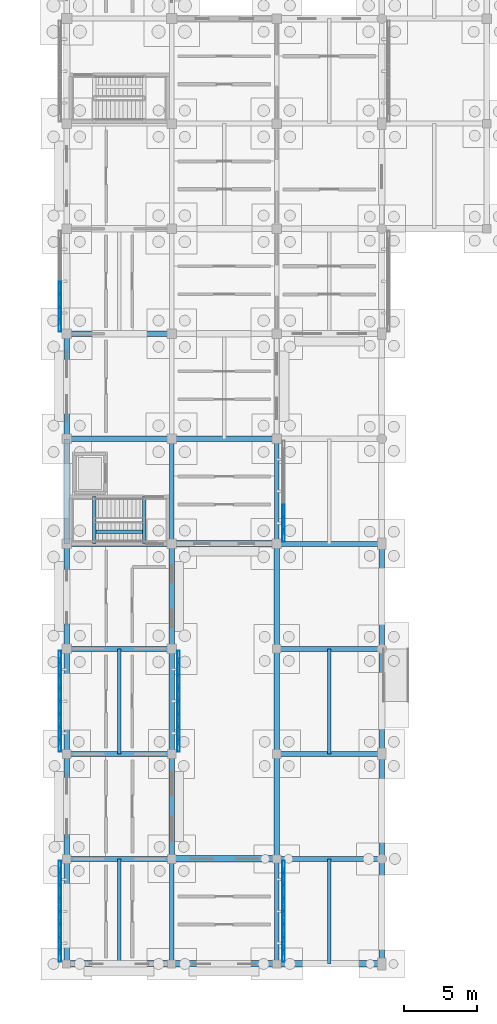
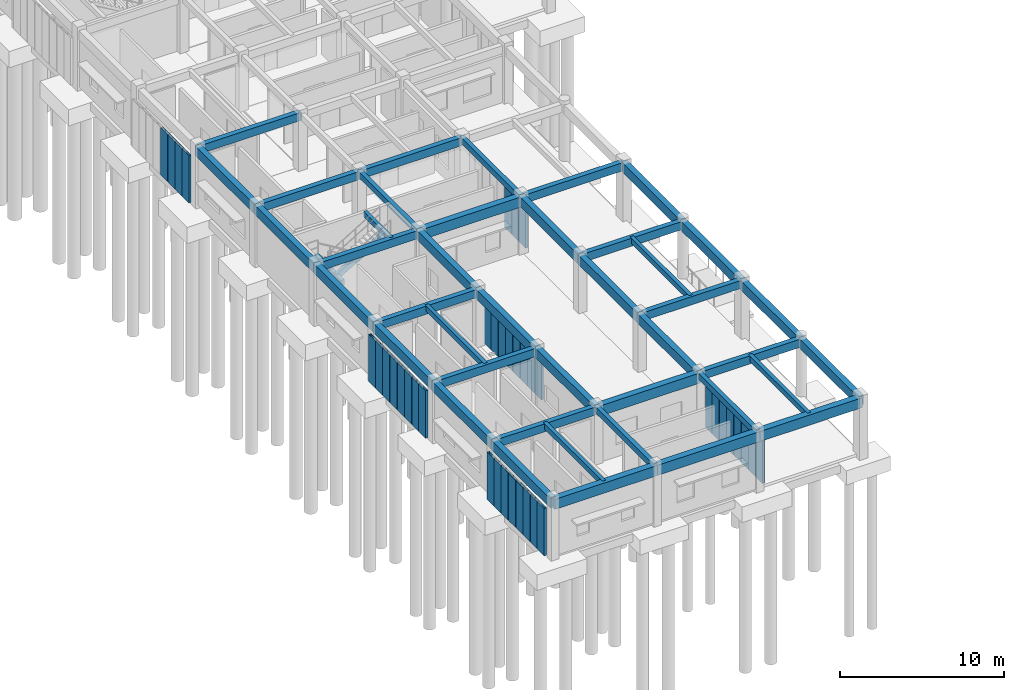
# One storey, part 13 of 111: 43 beams, 39 members, 6 elements without a shape of their own.
"""IFC4 building model written with IfcOpenShell, lengths in metres."""

import ifcopenshell
import ifcopenshell.guid

model = None  # the IFC model being written
_history = None  # IfcOwnerHistory: only IFC2X3 demands one
_inside = {}  # id of a spatial element -> (the spatial element, [elements in it])
_under = {}  # id of a project, library or spatial element -> (it, [spatial elements below it])
_declared = {}  # id of a project -> (the project, [libraries it declares])
_typed = {}  # id of a type object -> (the type object, [elements of that type])
_made_of = {}  # id of a material, layer set ... -> (it, [elements and type objects made of it])


def new_model(schema):
    """Start an empty IFC model of exactly this schema.

    Asked for "IFC4X3", IfcOpenShell would pick the latest addendum, in which some entities
    have other attributes; the version numbers below select the first issue.
    IFC2X3 requires an IfcOwnerHistory on every rooted entity: one is made here for all.
    """
    global model, _history
    if schema == "IFC4X3":
        model = ifcopenshell.file(schema_version=(4, 3, 0, 0))
    else:
        model = ifcopenshell.file(schema=schema)
    _inside.clear()
    _under.clear()
    _declared.clear()
    _typed.clear()
    _made_of.clear()
    _history = None
    if model.schema == "IFC2X3":
        org = make("IfcOrganization", Name="unknown")
        user = make(
            "IfcPersonAndOrganization",
            ThePerson=make("IfcPerson", FamilyName="unknown"),
            TheOrganization=org,
        )
        app = make(
            "IfcApplication",
            ApplicationDeveloper=org,
            Version="unknown",
            ApplicationFullName="unknown",
            ApplicationIdentifier="unknown",
        )
        _history = make(
            "IfcOwnerHistory",
            OwningUser=user,
            OwningApplication=app,
            ChangeAction="ADDED",
            CreationDate=0,
        )
    return model


def make(cls, **values):
    """One entity of the class cls with the attributes given. An attribute that is None is left unset."""
    return model.create_entity(
        cls, **{name: value for name, value in values.items() if value is not None}
    )


def rooted(cls, **values):
    """An entity with a GlobalId (a new one), such as an element, a storey or a relation."""
    return make(cls, GlobalId=ifcopenshell.guid.new(), OwnerHistory=_history, **values)


def si_unit(unit_type, name, prefix=None):
    """IfcSIUnit, for example si_unit("LENGTHUNIT", "METRE", prefix="MILLI")."""
    return make("IfcSIUnit", UnitType=unit_type, Prefix=prefix, Name=name)


def assignment(units):
    """IfcUnitAssignment: the units of a project."""
    return None if units is None else make("IfcUnitAssignment", Units=units)


def point(xyz):
    """IfcCartesianPoint."""
    return None if xyz is None else make("IfcCartesianPoint", Coordinates=xyz)


def direction(xyz):
    """IfcDirection."""
    return None if xyz is None else make("IfcDirection", DirectionRatios=xyz)


def frame(location, z_axis=None, x_axis=None):
    """IfcAxis2Placement3D, a coordinate frame: its origin and axes. An axis left out is left unset."""
    return make(
        "IfcAxis2Placement3D",
        Location=point(location),
        Axis=direction(z_axis),
        RefDirection=direction(x_axis),
    )


def frame_2d(location, x_axis=None):
    """IfcAxis2Placement2D, a coordinate frame in the plane: its origin and x axis."""
    return make(
        "IfcAxis2Placement2D", Location=point(location), RefDirection=direction(x_axis)
    )


def origin():
    """The frame at (0, 0, 0) with its axes left unset."""
    return frame((0.0, 0.0, 0.0))


def origin_2d():
    """The frame at (0, 0) in the plane with its x axis left unset."""
    return frame_2d((0.0, 0.0))


def place(relative_to, where):
    """IfcLocalPlacement: puts the frame where relative to a parent placement (None: the world)."""
    return make(
        "IfcLocalPlacement", PlacementRelTo=relative_to, RelativePlacement=where
    )


def context(
    kind, dimensions, precision=None, world=None, true_north=None, identifier=None
):
    """IfcGeometricRepresentationContext, for example the 3D "Model" context."""
    return make(
        "IfcGeometricRepresentationContext",
        ContextIdentifier=identifier,
        ContextType=kind,
        CoordinateSpaceDimension=dimensions,
        Precision=precision,
        WorldCoordinateSystem=world,
        TrueNorth=true_north,
    )


def subcontext(parent, identifier, kind, view, scale=None):
    """IfcGeometricRepresentationSubContext, for example "Body" below "Model"."""
    return make(
        "IfcGeometricRepresentationSubContext",
        ContextIdentifier=identifier,
        ContextType=kind,
        ParentContext=parent,
        TargetScale=scale,
        TargetView=view,
    )


def project(units=None, contexts=None):
    """IfcProject with its units and contexts."""
    return rooted(
        "IfcProject",
        Name="project",
        RepresentationContexts=contexts,
        UnitsInContext=assignment(units),
    )


def spatial(cls, under=None, at=None, **own):
    """A site, building, storey or space (cls), placed at a placement, below another one or the project."""
    s = rooted(cls, ObjectPlacement=at, **own)
    if under is not None:
        _under.setdefault(under.id(), (under, []))[1].append(s)
    return s


def profile(cls, at=None, kind="AREA", **sizes):
    """A parametric profile (cls). Its sizes go by their IFC names, for example OverallWidth=200.0."""
    return make(cls, ProfileType=kind, Position=at, **sizes)


def rectangle(**sizes):
    """IfcRectangleProfileDef."""
    return profile("IfcRectangleProfileDef", **sizes)


def hollow_rectangle(**sizes):
    """IfcRectangleHollowProfileDef."""
    return profile("IfcRectangleHollowProfileDef", **sizes)


def extrude(swept, where, along, depth):
    """IfcExtrudedAreaSolid: the profile swept, set in the frame where, extruded along a direction by depth."""
    return make(
        "IfcExtrudedAreaSolid",
        SweptArea=swept,
        Position=where,
        ExtrudedDirection=direction(along),
        Depth=depth,
    )


def shape(context_of_items, identifier, shape_type, items):
    """IfcShapeRepresentation: the items that make up one representation, for example the "Body"."""
    return make(
        "IfcShapeRepresentation",
        ContextOfItems=context_of_items,
        RepresentationIdentifier=identifier,
        RepresentationType=shape_type,
        Items=items,
    )


def material(Name=None, Category=None):
    """IfcMaterial."""
    return make("IfcMaterial", Name=Name, Category=Category)


def material_profile(
    of_material, cross_section, Name=None, Category=None, Priority=None
):
    """IfcMaterialProfile: a cross section and its material."""
    return make(
        "IfcMaterialProfile",
        Name=Name,
        Material=of_material,
        Profile=cross_section,
        Priority=Priority,
        Category=Category,
    )


def profile_set(profiles, Name=None, composite=None):
    """IfcMaterialProfileSet."""
    return make(
        "IfcMaterialProfileSet",
        Name=Name,
        MaterialProfiles=profiles,
        CompositeProfile=composite,
    )


def made_of(thing, what):
    """Note that an element or type object is made of a material, layer set ...; save() writes the relation."""
    if what is not None:
        _made_of.setdefault(what.id(), (what, []))[1].append(thing)
    return thing


def type_object(cls, material=None, **own):
    """A type object (cls), such as IfcWallType, which elements share."""
    return made_of(rooted(cls, **own), material)


def element(
    cls,
    number,
    at=None,
    inside=None,
    cuts=None,
    type_object=None,
    material=None,
    context=None,
    identifier="Body",
    shape_type=None,
    held_by="IfcProductDefinitionShape",
    body=None,
    shapes=None,
    **own,
):
    """One element of the class cls, such as IfcWall. Its Tag is "e" and its number.

    at: its placement. inside: the storey or other place that contains it. cuts: it is an
    opening in that element (IfcRelVoidsElement). A single representation is given by context,
    identifier, shape_type and body (its items); several are given by shapes. held_by: the class
    of the entity that holds the representations. save() writes the other relations.
    """
    e = rooted(cls, Tag="e%d" % number, ObjectPlacement=at, **own)
    if body is not None:
        shapes = [shape(context, identifier, shape_type, body)]
    if shapes is not None:
        e.Representation = make(held_by, Representations=shapes)
    if inside is not None:
        _inside.setdefault(inside.id(), (inside, []))[1].append(e)
    if cuts is not None:
        rooted(
            "IfcRelVoidsElement", RelatingBuildingElement=cuts, RelatedOpeningElement=e
        )
    if type_object is not None:
        _typed.setdefault(type_object.id(), (type_object, []))[1].append(e)
    return made_of(e, material)


def aggregate(whole, parts):
    """IfcRelAggregates: a whole, such as a stair, and the parts it consists of."""
    return rooted("IfcRelAggregates", RelatingObject=whole, RelatedObjects=parts)


def save(model, path):
    """Write the relations noted so far, then the file.

    IfcRelAggregates (storeys below a building ...), IfcRelContainedInSpatialStructure (elements
    in a storey), IfcRelDefinesByType, IfcRelAssociatesMaterial and IfcRelDeclares: one each for
    every whole, place, type object, material and project.
    """
    for whole, parts in _under.values():
        aggregate(whole, parts)
    for where, things in _inside.values():
        rooted(
            "IfcRelContainedInSpatialStructure",
            RelatedElements=things,
            RelatingStructure=where,
        )
    for kind, things in _typed.values():
        rooted("IfcRelDefinesByType", RelatedObjects=things, RelatingType=kind)
    for what, things in _made_of.values():
        rooted("IfcRelAssociatesMaterial", RelatedObjects=things, RelatingMaterial=what)
    for by, libraries in _declared.values():
        rooted("IfcRelDeclares", RelatingContext=by, RelatedDefinitions=libraries)
    model.write(path)


model = new_model("IFC4")

# Units and contexts
model_context = context("Model", 3, precision=1e-05, world=origin(), true_north=direction((0.0, 1.0)))
body_context = subcontext(model_context, "Body", "Model", "MODEL_VIEW")
ifc_project = project(units=[si_unit("LENGTHUNIT", "METRE"), si_unit("AREAUNIT", "SQUARE_METRE"), si_unit("VOLUMEUNIT", "CUBIC_METRE"), si_unit("PLANEANGLEUNIT", "RADIAN"), si_unit("MASSUNIT", "GRAM", prefix="KILO")], contexts=[model_context])

# Site, building, storey
site_placement = place(None, origin())
site = spatial("IfcSite", under=ifc_project, at=site_placement, CompositionType="ELEMENT")
building_placement = place(site_placement, origin())
building = spatial("IfcBuilding", under=site, at=building_placement, Name="Aldebral Square Health Centre", CompositionType="ELEMENT")
storey_placement = place(building_placement, origin())
storey = spatial("IfcBuildingStorey", under=building, at=storey_placement, Name="L00", CompositionType="ELEMENT", Elevation=0.0)

# Beams
ifc_material_1 = material(Name="Concrete C40/50", Category="concrete")
ifc_material_profile_1 = material_profile(ifc_material_1, rectangle(XDim=0.35009765625, YDim=0.60009765625, at=origin_2d()), Name="RC 350x600")
ifc_profile_set_1 = profile_set([ifc_material_profile_1], Name="Concrete C40/50")
beam_type_1 = type_object("IfcBeamType", Name="BM-B2", PredefinedType="BEAM", material=ifc_profile_set_1)
for number, where, z_axis, x_axis, name in (
    (1, (0.0, 7.199951171875, 3.919921875), (1.0, 0.0, 0.0), (0.0, 1.0, 0.0), "L00 X-beam 1-2/G2"),
    (2, (0.0, 14.39990234375, 3.919921875), (1.0, 0.0, 0.0), (0.0, 1.0, 0.0), "L00 X-beam 1-2/G3"),
    (3, (0.0, 21.60009765625, 3.919921875), (1.0, 0.0, 0.0), (0.0, 1.0, 0.0), "L00 X-beam 1-2/G4"),
    (4, (0.0, 28.800048828125, 3.919921875), (1.0, 0.0, 0.0), (0.0, 1.0, 0.0), "L00 X-beam 1-2/G5"),
    (5, (0.0, 36.0, 3.919921875), (1.0, 0.0, 0.0), (0.0, 1.0, 0.0), "L00 X-beam 1-2/G6"),
    (6, (0.0, 43.199951171875, 3.919921875), (1.0, 0.0, 0.0), (0.0, 1.0, 0.0), "L00 X-beam 1-2/G7"),
    (7, (7.199951171875, 36.0, 3.919921875), (1.0, 0.0, 0.0), (0.0, 1.0, 0.0), "L00 X-beam 2-3/G6"),
):
    element("IfcBeam", number, at=place(storey_placement, frame(where, z_axis=z_axis, x_axis=x_axis)), inside=storey, type_object=beam_type_1, Name=name, PredefinedType="BEAM", context=body_context, shape_type="SweptSolid", body=[
        extrude(rectangle(XDim=0.35009765625, YDim=0.60009765625, at=origin_2d()), origin(), (0.0, 0.0, 1.0), 7.199951171875),
    ])
for number, where, z_axis, x_axis, name in (
    (8, (14.39990234375, 7.199951171875, 3.919921875), (1.0, 0.0, 0.0), (0.0, 1.0, 0.0), "L00 X-beam 3-4/G2"),
    (9, (14.39990234375, 14.39990234375, 3.919921875), (1.0, 0.0, 0.0), (0.0, 1.0, 0.0), "L00 X-beam 3-4/G3"),
    (10, (14.39990234375, 21.60009765625, 3.919921875), (1.0, 0.0, 0.0), (0.0, 1.0, 0.0), "L00 X-beam 3-4/G4"),
    (11, (14.39990234375, 28.800048828125, 3.919921875), (1.0, 0.0, 0.0), (0.0, 1.0, 0.0), "L00 X-beam 3-4/G5"),
):
    element("IfcBeam", number, at=place(storey_placement, frame(where, z_axis=z_axis, x_axis=x_axis)), inside=storey, type_object=beam_type_1, Name=name, PredefinedType="BEAM", context=body_context, shape_type="SweptSolid", body=[
        extrude(rectangle(XDim=0.35009765625, YDim=0.60009765625, at=origin_2d()), origin(), (0.0, 0.0, 1.0), 7.2001953125),
    ])
ifc_material_profile_2 = material_profile(ifc_material_1, rectangle(XDim=0.300048828125, YDim=0.449951171875, at=origin_2d()), Name="RC 300x450")
ifc_profile_set_2 = profile_set([ifc_material_profile_2], Name="Concrete C40/50")
beam_type_2 = type_object("IfcBeamType", Name="BM-B5", PredefinedType="BEAM", material=ifc_profile_set_2)
for number, where, z_axis, x_axis, name in (
    (12, (7.199951171875, 0.0, 3.9951171875), (0.0, 1.0, 0.0), (-1.0, 0.0, 0.0), "L00 Y-beam G2/1-2"),
    (13, (7.199951171875, 28.800048828125, 3.9951171875), (0.0, 1.0, 0.0), (-1.0, 0.0, 0.0), "L00 Y-beam G2/5-6"),
    (14, (14.39990234375, 0.0, 3.9951171875), (0.0, 1.0, 0.0), (-1.0, 0.0, 0.0), "L00 Y-beam G3/1-2"),
    (15, (14.39990234375, 28.800048828125, 3.9951171875), (0.0, 1.0, 0.0), (-1.0, 0.0, 0.0), "L00 Y-beam G3/5-6"),
):
    element("IfcBeam", number, at=place(storey_placement, frame(where, z_axis=z_axis, x_axis=x_axis)), inside=storey, type_object=beam_type_2, Name=name, PredefinedType="BEAM", context=body_context, shape_type="SweptSolid", body=[
        extrude(rectangle(XDim=0.300048828125, YDim=0.449951171875, at=origin_2d()), origin(), (0.0, 0.0, 1.0), 7.199951171875),
    ])
ifc_material_profile_3 = material_profile(ifc_material_1, rectangle(XDim=0.25, YDim=0.39990234375, at=origin_2d()), Name="RC 250x400")
ifc_profile_set_3 = profile_set([ifc_material_profile_3], Name="Concrete C40/50")
beam_type_3 = type_object("IfcBeamType", Name="BM-B6", PredefinedType="JOIST", material=ifc_profile_set_3)
beam_1_placement = place(storey_placement, frame((3.60009765625, 0.0, 4.02001953125), z_axis=(0.0, 1.0, 0.0), x_axis=(-1.0, 0.0, 0.0)))
element("IfcBeam", 16, at=beam_1_placement, inside=storey, type_object=beam_type_3, Name="L00 secondary rib 1.1", PredefinedType="JOIST", context=body_context, shape_type="SweptSolid", body=[
    extrude(rectangle(XDim=0.25, YDim=0.39990234375, at=origin_2d()), origin(), (0.0, 0.0, 1.0), 7.199951171875),
])
beam_2_placement = place(storey_placement, frame((3.60009765625, 14.39990234375, 4.02001953125), z_axis=(0.0, 1.0, 0.0), x_axis=(-1.0, 0.0, 0.0)))
element("IfcBeam", 17, at=beam_2_placement, inside=storey, type_object=beam_type_3, Name="L00 secondary rib 1.3", PredefinedType="JOIST", context=body_context, shape_type="SweptSolid", body=[
    extrude(rectangle(XDim=0.25, YDim=0.39990234375, at=origin_2d()), origin(), (0.0, 0.0, 1.0), 7.2001953125),
])
beam_3_placement = place(storey_placement, frame((18.0, 0.0, 4.02001953125), z_axis=(0.0, 1.0, 0.0), x_axis=(-1.0, 0.0, 0.0)))
element("IfcBeam", 18, at=beam_3_placement, inside=storey, type_object=beam_type_3, Name="L00 secondary rib 3.1", PredefinedType="JOIST", context=body_context, shape_type="SweptSolid", body=[
    extrude(rectangle(XDim=0.25, YDim=0.39990234375, at=origin_2d()), origin(), (0.0, 0.0, 1.0), 7.199951171875),
])
beam_4_placement = place(storey_placement, frame((18.0, 14.39990234375, 4.02001953125), z_axis=(0.0, 1.0, 0.0), x_axis=(-1.0, 0.0, 0.0)))
element("IfcBeam", 19, at=beam_4_placement, inside=storey, type_object=beam_type_3, Name="L00 secondary rib 3.3", PredefinedType="JOIST", context=body_context, shape_type="SweptSolid", body=[
    extrude(rectangle(XDim=0.25, YDim=0.39990234375, at=origin_2d()), origin(), (0.0, 0.0, 1.0), 7.2001953125),
])
for number, where, z_axis, x_axis, name in (
    (20, (1.8798828125, 28.81005859375, 2.050048828125), (0.0, 1.0, 0.0), (-1.0, 0.0, 0.0), "L00 WC-C5 half-landing beam"),
    (21, (5.320068359375, 28.81005859375, 4.02001953125), (0.0, 1.0, 0.0), (-1.0, 0.0, 0.0), "L00 WC-C5 upper landing beam"),
):
    element("IfcBeam", number, at=place(storey_placement, frame(where, z_axis=z_axis, x_axis=x_axis)), inside=storey, type_object=beam_type_3, Name=name, PredefinedType="JOIST", context=body_context, shape_type="SweptSolid", body=[
        extrude(rectangle(XDim=0.25, YDim=0.39990234375, at=origin_2d()), origin(), (0.0, 0.0, 1.0), 3.219970703125),
    ])
beam_5_placement = place(storey_placement, frame((1.8798828125, 29.6201171875, 2.050048828125), z_axis=(0.867791792995, 0.0, 0.496927966622), x_axis=(0.0, 1.0, 0.0)))
element("IfcBeam", 22, at=beam_5_placement, inside=storey, type_object=beam_type_3, Name="L00 WC-C5 flight stringer beam", PredefinedType="JOIST", context=body_context, shape_type="SweptSolid", body=[
    extrude(rectangle(XDim=0.25, YDim=0.39990234375, at=origin_2d()), origin(), (0.0, 0.0, 1.0), 3.96435546875),
])
ifc_material_profile_4 = material_profile(ifc_material_1, rectangle(XDim=0.449951171875, YDim=0.75, at=origin_2d()), Name="RC 450x750")
ifc_profile_set_4 = profile_set([ifc_material_profile_4], Name="Concrete C40/50")
beam_type_4 = type_object("IfcBeamType", Name="BM-G2", PredefinedType="T_BEAM", material=ifc_profile_set_4)
for number, where, z_axis, x_axis, name in (
    (23, (0.0, 0.0, 3.844970703125), (1.0, 0.0, 0.0), (0.0, 1.0, 0.0), "L00 X-beam 1-2/G1"),
    (24, (7.199951171875, 0.0, 3.844970703125), (1.0, 0.0, 0.0), (0.0, 1.0, 0.0), "L00 X-beam 2-3/G1"),
    (25, (7.199951171875, 7.199951171875, 3.844970703125), (1.0, 0.0, 0.0), (0.0, 1.0, 0.0), "L00 X-beam 2-3/G2"),
    (26, (7.199951171875, 28.800048828125, 3.844970703125), (1.0, 0.0, 0.0), (0.0, 1.0, 0.0), "L00 X-beam 2-3/G5"),
):
    element("IfcBeam", number, at=place(storey_placement, frame(where, z_axis=z_axis, x_axis=x_axis)), inside=storey, type_object=beam_type_4, Name=name, PredefinedType="T_BEAM", context=body_context, shape_type="SweptSolid", body=[
        extrude(rectangle(XDim=0.449951171875, YDim=0.75, at=origin_2d()), origin(), (0.0, 0.0, 1.0), 7.199951171875),
    ])
beam_6_placement = place(storey_placement, frame((14.39990234375, 0.0, 3.844970703125), z_axis=(1.0, 0.0, 0.0), x_axis=(0.0, 1.0, 0.0)))
element("IfcBeam", 27, at=beam_6_placement, inside=storey, type_object=beam_type_4, Name="L00 X-beam 3-4/G1", PredefinedType="T_BEAM", context=body_context, shape_type="SweptSolid", body=[
    extrude(rectangle(XDim=0.449951171875, YDim=0.75, at=origin_2d()), origin(), (0.0, 0.0, 1.0), 7.2001953125),
])
ifc_material_profile_5 = material_profile(ifc_material_1, rectangle(XDim=0.39990234375, YDim=0.699951171875, at=origin_2d()), Name="RC 400x700")
ifc_profile_set_5 = profile_set([ifc_material_profile_5], Name="Concrete C40/50")
beam_type_5 = type_object("IfcBeamType", Name="BM-G3", PredefinedType="T_BEAM", material=ifc_profile_set_5)
for number, where, z_axis, x_axis, name in (
    (28, (0.0, 0.0, 3.8701171875), (0.0, 1.0, 0.0), (-1.0, 0.0, 0.0), "L00 Y-beam G1/1-2"),
    (29, (0.0, 7.199951171875, 3.8701171875), (0.0, 1.0, 0.0), (-1.0, 0.0, 0.0), "L00 Y-beam G1/2-3"),
):
    element("IfcBeam", number, at=place(storey_placement, frame(where, z_axis=z_axis, x_axis=x_axis)), inside=storey, type_object=beam_type_5, Name=name, PredefinedType="T_BEAM", context=body_context, shape_type="SweptSolid", body=[
        extrude(rectangle(XDim=0.39990234375, YDim=0.699951171875, at=origin_2d()), origin(), (0.0, 0.0, 1.0), 7.199951171875),
    ])
beam_7_placement = place(storey_placement, frame((0.0, 14.39990234375, 3.8701171875), z_axis=(0.0, 1.0, 0.0), x_axis=(-1.0, 0.0, 0.0)))
element("IfcBeam", 30, at=beam_7_placement, inside=storey, type_object=beam_type_5, Name="L00 Y-beam G1/3-4", PredefinedType="T_BEAM", context=body_context, shape_type="SweptSolid", body=[
    extrude(rectangle(XDim=0.39990234375, YDim=0.699951171875, at=origin_2d()), origin(), (0.0, 0.0, 1.0), 7.2001953125),
])
for number, where, z_axis, x_axis, name in (
    (31, (0.0, 21.60009765625, 3.8701171875), (0.0, 1.0, 0.0), (-1.0, 0.0, 0.0), "L00 Y-beam G1/4-5"),
    (32, (0.0, 28.800048828125, 3.8701171875), (0.0, 1.0, 0.0), (-1.0, 0.0, 0.0), "L00 Y-beam G1/5-6"),
    (33, (0.0, 36.0, 3.8701171875), (0.0, 1.0, 0.0), (-1.0, 0.0, 0.0), "L00 Y-beam G1/6-7"),
    (34, (7.199951171875, 7.199951171875, 3.8701171875), (0.0, 1.0, 0.0), (-1.0, 0.0, 0.0), "L00 Y-beam G2/2-3"),
):
    element("IfcBeam", number, at=place(storey_placement, frame(where, z_axis=z_axis, x_axis=x_axis)), inside=storey, type_object=beam_type_5, Name=name, PredefinedType="T_BEAM", context=body_context, shape_type="SweptSolid", body=[
        extrude(rectangle(XDim=0.39990234375, YDim=0.699951171875, at=origin_2d()), origin(), (0.0, 0.0, 1.0), 7.199951171875),
    ])
beam_8_placement = place(storey_placement, frame((7.199951171875, 14.39990234375, 3.8701171875), z_axis=(0.0, 1.0, 0.0), x_axis=(-1.0, 0.0, 0.0)))
element("IfcBeam", 35, at=beam_8_placement, inside=storey, type_object=beam_type_5, Name="L00 Y-beam G2/3-4", PredefinedType="T_BEAM", context=body_context, shape_type="SweptSolid", body=[
    extrude(rectangle(XDim=0.39990234375, YDim=0.699951171875, at=origin_2d()), origin(), (0.0, 0.0, 1.0), 7.2001953125),
])
for number, where, z_axis, x_axis, name in (
    (36, (7.199951171875, 21.60009765625, 3.8701171875), (0.0, 1.0, 0.0), (-1.0, 0.0, 0.0), "L00 Y-beam G2/4-5"),
    (37, (14.39990234375, 7.199951171875, 3.8701171875), (0.0, 1.0, 0.0), (-1.0, 0.0, 0.0), "L00 Y-beam G3/2-3"),
):
    element("IfcBeam", number, at=place(storey_placement, frame(where, z_axis=z_axis, x_axis=x_axis)), inside=storey, type_object=beam_type_5, Name=name, PredefinedType="T_BEAM", context=body_context, shape_type="SweptSolid", body=[
        extrude(rectangle(XDim=0.39990234375, YDim=0.699951171875, at=origin_2d()), origin(), (0.0, 0.0, 1.0), 7.199951171875),
    ])
beam_9_placement = place(storey_placement, frame((14.39990234375, 14.39990234375, 3.8701171875), z_axis=(0.0, 1.0, 0.0), x_axis=(-1.0, 0.0, 0.0)))
element("IfcBeam", 38, at=beam_9_placement, inside=storey, type_object=beam_type_5, Name="L00 Y-beam G3/3-4", PredefinedType="T_BEAM", context=body_context, shape_type="SweptSolid", body=[
    extrude(rectangle(XDim=0.39990234375, YDim=0.699951171875, at=origin_2d()), origin(), (0.0, 0.0, 1.0), 7.2001953125),
])
for number, where, z_axis, x_axis, name in (
    (39, (14.39990234375, 21.60009765625, 3.8701171875), (0.0, 1.0, 0.0), (-1.0, 0.0, 0.0), "L00 Y-beam G3/4-5"),
    (40, (21.60009765625, 0.0, 3.8701171875), (0.0, 1.0, 0.0), (-1.0, 0.0, 0.0), "L00 Y-beam G4/1-2"),
    (41, (21.60009765625, 7.199951171875, 3.8701171875), (0.0, 1.0, 0.0), (-1.0, 0.0, 0.0), "L00 Y-beam G4/2-3"),
):
    element("IfcBeam", number, at=place(storey_placement, frame(where, z_axis=z_axis, x_axis=x_axis)), inside=storey, type_object=beam_type_5, Name=name, PredefinedType="T_BEAM", context=body_context, shape_type="SweptSolid", body=[
        extrude(rectangle(XDim=0.39990234375, YDim=0.699951171875, at=origin_2d()), origin(), (0.0, 0.0, 1.0), 7.199951171875),
    ])
beam_10_placement = place(storey_placement, frame((21.60009765625, 14.39990234375, 3.8701171875), z_axis=(0.0, 1.0, 0.0), x_axis=(-1.0, 0.0, 0.0)))
element("IfcBeam", 42, at=beam_10_placement, inside=storey, type_object=beam_type_5, Name="L00 Y-beam G4/3-4", PredefinedType="T_BEAM", context=body_context, shape_type="SweptSolid", body=[
    extrude(rectangle(XDim=0.39990234375, YDim=0.699951171875, at=origin_2d()), origin(), (0.0, 0.0, 1.0), 7.2001953125),
])
beam_11_placement = place(storey_placement, frame((21.60009765625, 21.60009765625, 3.8701171875), z_axis=(0.0, 1.0, 0.0), x_axis=(-1.0, 0.0, 0.0)))
element("IfcBeam", 43, at=beam_11_placement, inside=storey, type_object=beam_type_5, Name="L00 Y-beam G4/4-5", PredefinedType="T_BEAM", context=body_context, shape_type="SweptSolid", body=[
    extrude(rectangle(XDim=0.39990234375, YDim=0.699951171875, at=origin_2d()), origin(), (0.0, 0.0, 1.0), 7.199951171875),
])

# Curtain wall, members
ifc_material_2 = material(Name="Aluminium and low-E solar glass", Category="aluminium")
curtain_wall_type = type_object("IfcCurtainWallType", Name="CW-FIN-SYS", PredefinedType="USERDEFINED", material=ifc_material_2)
curtain_wall_1_placement = place(storey_placement, origin())
curtain_wall_1 = element("IfcCurtainWall", 44, at=curtain_wall_1_placement, inside=storey, type_object=curtain_wall_type, Name="L00 V6 finned curtain wall L00-V6-00-00-W", ObjectType="SOLAR_CURTAIN_WALL", PredefinedType="USERDEFINED")
ifc_material_3 = material(Name="Sienna-terracotta clad aluminium fin", Category="masonry")
ifc_material_profile_6 = material_profile(ifc_material_3, hollow_rectangle(XDim=0.159912109375, YDim=0.85009765625, WallThickness=0.006103515625, at=origin_2d()), Name="FIN 160x850x6")
ifc_profile_set_6 = profile_set([ifc_material_profile_6], Name="Sienna-terracotta clad aluminium fin")
member_type = type_object("IfcMemberType", Name="CWM-FIN", PredefinedType="MULLION", material=ifc_profile_set_6)
member_1_placement = place(storey_placement, frame((-0.4599609375, 6.639892578125, 0.0), z_axis=(0.0, 0.0, 1.0), x_axis=(1.0, 0.0, 0.0)))
member_1 = element("IfcMember", 45, at=member_1_placement, type_object=member_type, Name="CW1 mullion 1", PredefinedType="MULLION", context=body_context, shape_type="SweptSolid", body=[
    extrude(hollow_rectangle(XDim=0.159912109375, YDim=0.85009765625, WallThickness=0.006103515625, at=origin_2d()), origin(), (0.0, 0.0, 1.0), 3.52001953125),
])
member_2_placement = place(storey_placement, frame((-0.4599609375, 5.82861328125, 0.0), z_axis=(0.0, 0.0, 1.0), x_axis=(1.0, 0.0, 0.0)))
member_2 = element("IfcMember", 46, at=member_2_placement, type_object=member_type, Name="CW1 mullion 2", PredefinedType="MULLION", context=body_context, shape_type="SweptSolid", body=[
    extrude(hollow_rectangle(XDim=0.159912109375, YDim=0.85009765625, WallThickness=0.006103515625, at=origin_2d()), origin(), (0.0, 0.0, 1.0), 3.52001953125),
])
member_3_placement = place(storey_placement, frame((-0.4599609375, 4.937255859375, 0.0), z_axis=(0.0, 0.0, 1.0), x_axis=(1.0, 0.0, 0.0)))
member_3 = element("IfcMember", 47, at=member_3_placement, type_object=member_type, Name="CW1 mullion 3", PredefinedType="MULLION", context=body_context, shape_type="SweptSolid", body=[
    extrude(hollow_rectangle(XDim=0.159912109375, YDim=0.85009765625, WallThickness=0.006103515625, at=origin_2d()), origin(), (0.0, 0.0, 1.0), 3.52001953125),
])
member_4_placement = place(storey_placement, frame((-0.4599609375, 4.045654296875, 0.0), z_axis=(0.0, 0.0, 1.0), x_axis=(1.0, 0.0, 0.0)))
member_4 = element("IfcMember", 48, at=member_4_placement, type_object=member_type, Name="CW1 mullion 4", PredefinedType="MULLION", context=body_context, shape_type="SweptSolid", body=[
    extrude(hollow_rectangle(XDim=0.159912109375, YDim=0.85009765625, WallThickness=0.006103515625, at=origin_2d()), origin(), (0.0, 0.0, 1.0), 3.52001953125),
])
member_5_placement = place(storey_placement, frame((-0.4599609375, 3.154296875, 0.0), z_axis=(0.0, 0.0, 1.0), x_axis=(1.0, 0.0, 0.0)))
member_5 = element("IfcMember", 49, at=member_5_placement, type_object=member_type, Name="CW1 mullion 5", PredefinedType="MULLION", context=body_context, shape_type="SweptSolid", body=[
    extrude(hollow_rectangle(XDim=0.159912109375, YDim=0.85009765625, WallThickness=0.006103515625, at=origin_2d()), origin(), (0.0, 0.0, 1.0), 3.52001953125),
])
member_6_placement = place(storey_placement, frame((-0.4599609375, 2.262939453125, 0.0), z_axis=(0.0, 0.0, 1.0), x_axis=(1.0, 0.0, 0.0)))
member_6 = element("IfcMember", 50, at=member_6_placement, type_object=member_type, Name="CW1 mullion 6", PredefinedType="MULLION", context=body_context, shape_type="SweptSolid", body=[
    extrude(hollow_rectangle(XDim=0.159912109375, YDim=0.85009765625, WallThickness=0.006103515625, at=origin_2d()), origin(), (0.0, 0.0, 1.0), 3.52001953125),
])
member_7_placement = place(storey_placement, frame((-0.4599609375, 1.371337890625, 0.0), z_axis=(0.0, 0.0, 1.0), x_axis=(1.0, 0.0, 0.0)))
member_7 = element("IfcMember", 51, at=member_7_placement, type_object=member_type, Name="CW1 mullion 7", PredefinedType="MULLION", context=body_context, shape_type="SweptSolid", body=[
    extrude(hollow_rectangle(XDim=0.159912109375, YDim=0.85009765625, WallThickness=0.006103515625, at=origin_2d()), origin(), (0.0, 0.0, 1.0), 3.52001953125),
])
member_8_placement = place(storey_placement, frame((-0.4599609375, 0.56005859375, 0.0), z_axis=(0.0, 0.0, 1.0), x_axis=(1.0, 0.0, 0.0)))
member_8 = element("IfcMember", 52, at=member_8_placement, type_object=member_type, Name="CW1 mullion 8", PredefinedType="MULLION", context=body_context, shape_type="SweptSolid", body=[
    extrude(hollow_rectangle(XDim=0.159912109375, YDim=0.85009765625, WallThickness=0.006103515625, at=origin_2d()), origin(), (0.0, 0.0, 1.0), 3.52001953125),
])
aggregate(curtain_wall_1, [member_1, member_2, member_3, member_4, member_5, member_6, member_7, member_8])

curtain_wall_2_placement = place(storey_placement, origin())
curtain_wall_2 = element("IfcCurtainWall", 53, at=curtain_wall_2_placement, inside=storey, type_object=curtain_wall_type, Name="L00 V6 finned curtain wall L00-V6-00-02-W", ObjectType="SOLAR_CURTAIN_WALL", PredefinedType="USERDEFINED")
member_9_placement = place(storey_placement, frame((-0.4599609375, 21.0400390625, 0.0), z_axis=(0.0, 0.0, 1.0), x_axis=(1.0, 0.0, 0.0)))
member_9 = element("IfcMember", 54, at=member_9_placement, type_object=member_type, Name="CW1 mullion 1", PredefinedType="MULLION", context=body_context, shape_type="SweptSolid", body=[
    extrude(hollow_rectangle(XDim=0.159912109375, YDim=0.85009765625, WallThickness=0.006103515625, at=origin_2d()), origin(), (0.0, 0.0, 1.0), 3.52001953125),
])
member_10_placement = place(storey_placement, frame((-0.4599609375, 20.228515625, 0.0), z_axis=(0.0, 0.0, 1.0), x_axis=(1.0, 0.0, 0.0)))
member_10 = element("IfcMember", 55, at=member_10_placement, type_object=member_type, Name="CW1 mullion 2", PredefinedType="MULLION", context=body_context, shape_type="SweptSolid", body=[
    extrude(hollow_rectangle(XDim=0.159912109375, YDim=0.85009765625, WallThickness=0.006103515625, at=origin_2d()), origin(), (0.0, 0.0, 1.0), 3.52001953125),
])
member_11_placement = place(storey_placement, frame((-0.4599609375, 19.337158203125, 0.0), z_axis=(0.0, 0.0, 1.0), x_axis=(1.0, 0.0, 0.0)))
member_11 = element("IfcMember", 56, at=member_11_placement, type_object=member_type, Name="CW1 mullion 3", PredefinedType="MULLION", context=body_context, shape_type="SweptSolid", body=[
    extrude(hollow_rectangle(XDim=0.159912109375, YDim=0.85009765625, WallThickness=0.006103515625, at=origin_2d()), origin(), (0.0, 0.0, 1.0), 3.52001953125),
])
member_12_placement = place(storey_placement, frame((-0.4599609375, 18.44580078125, 0.0), z_axis=(0.0, 0.0, 1.0), x_axis=(1.0, 0.0, 0.0)))
member_12 = element("IfcMember", 57, at=member_12_placement, type_object=member_type, Name="CW1 mullion 4", PredefinedType="MULLION", context=body_context, shape_type="SweptSolid", body=[
    extrude(hollow_rectangle(XDim=0.159912109375, YDim=0.85009765625, WallThickness=0.006103515625, at=origin_2d()), origin(), (0.0, 0.0, 1.0), 3.52001953125),
])
member_13_placement = place(storey_placement, frame((-0.4599609375, 17.55419921875, 0.0), z_axis=(0.0, 0.0, 1.0), x_axis=(1.0, 0.0, 0.0)))
member_13 = element("IfcMember", 58, at=member_13_placement, type_object=member_type, Name="CW1 mullion 5", PredefinedType="MULLION", context=body_context, shape_type="SweptSolid", body=[
    extrude(hollow_rectangle(XDim=0.159912109375, YDim=0.85009765625, WallThickness=0.006103515625, at=origin_2d()), origin(), (0.0, 0.0, 1.0), 3.52001953125),
])
member_14_placement = place(storey_placement, frame((-0.4599609375, 16.662841796875, 0.0), z_axis=(0.0, 0.0, 1.0), x_axis=(1.0, 0.0, 0.0)))
member_14 = element("IfcMember", 59, at=member_14_placement, type_object=member_type, Name="CW1 mullion 6", PredefinedType="MULLION", context=body_context, shape_type="SweptSolid", body=[
    extrude(hollow_rectangle(XDim=0.159912109375, YDim=0.85009765625, WallThickness=0.006103515625, at=origin_2d()), origin(), (0.0, 0.0, 1.0), 3.52001953125),
])
member_15_placement = place(storey_placement, frame((-0.4599609375, 15.771484375, 0.0), z_axis=(0.0, 0.0, 1.0), x_axis=(1.0, 0.0, 0.0)))
member_15 = element("IfcMember", 60, at=member_15_placement, type_object=member_type, Name="CW1 mullion 7", PredefinedType="MULLION", context=body_context, shape_type="SweptSolid", body=[
    extrude(hollow_rectangle(XDim=0.159912109375, YDim=0.85009765625, WallThickness=0.006103515625, at=origin_2d()), origin(), (0.0, 0.0, 1.0), 3.52001953125),
])
member_16_placement = place(storey_placement, frame((-0.4599609375, 14.9599609375, 0.0), z_axis=(0.0, 0.0, 1.0), x_axis=(1.0, 0.0, 0.0)))
member_16 = element("IfcMember", 61, at=member_16_placement, type_object=member_type, Name="CW1 mullion 8", PredefinedType="MULLION", context=body_context, shape_type="SweptSolid", body=[
    extrude(hollow_rectangle(XDim=0.159912109375, YDim=0.85009765625, WallThickness=0.006103515625, at=origin_2d()), origin(), (0.0, 0.0, 1.0), 3.52001953125),
])
aggregate(curtain_wall_2, [member_9, member_10, member_11, member_12, member_13, member_14, member_15, member_16])

curtain_wall_3_placement = place(storey_placement, origin())
curtain_wall_3 = element("IfcCurtainWall", 62, at=curtain_wall_3_placement, inside=storey, type_object=curtain_wall_type, Name="L00 V6 finned curtain wall L00-V6-00-02-E", ObjectType="SOLAR_CURTAIN_WALL", PredefinedType="USERDEFINED")
member_17_placement = place(storey_placement, frame((7.659912109375, 14.9599609375, 0.0), z_axis=(0.0, 0.0, 1.0), x_axis=(-1.0, 0.0, 0.0)))
member_17 = element("IfcMember", 63, at=member_17_placement, type_object=member_type, Name="CW1 mullion 1", PredefinedType="MULLION", context=body_context, shape_type="SweptSolid", body=[
    extrude(hollow_rectangle(XDim=0.159912109375, YDim=0.85009765625, WallThickness=0.006103515625, at=origin_2d()), origin(), (0.0, 0.0, 1.0), 3.52001953125),
])
member_18_placement = place(storey_placement, frame((7.659912109375, 15.771484375, 0.0), z_axis=(0.0, 0.0, 1.0), x_axis=(-1.0, 0.0, 0.0)))
member_18 = element("IfcMember", 64, at=member_18_placement, type_object=member_type, Name="CW1 mullion 2", PredefinedType="MULLION", context=body_context, shape_type="SweptSolid", body=[
    extrude(hollow_rectangle(XDim=0.159912109375, YDim=0.85009765625, WallThickness=0.006103515625, at=origin_2d()), origin(), (0.0, 0.0, 1.0), 3.52001953125),
])
member_19_placement = place(storey_placement, frame((7.659912109375, 16.662841796875, 0.0), z_axis=(0.0, 0.0, 1.0), x_axis=(-1.0, 0.0, 0.0)))
member_19 = element("IfcMember", 65, at=member_19_placement, type_object=member_type, Name="CW1 mullion 3", PredefinedType="MULLION", context=body_context, shape_type="SweptSolid", body=[
    extrude(hollow_rectangle(XDim=0.159912109375, YDim=0.85009765625, WallThickness=0.006103515625, at=origin_2d()), origin(), (0.0, 0.0, 1.0), 3.52001953125),
])
member_20_placement = place(storey_placement, frame((7.659912109375, 17.55419921875, 0.0), z_axis=(0.0, 0.0, 1.0), x_axis=(-1.0, 0.0, 0.0)))
member_20 = element("IfcMember", 66, at=member_20_placement, type_object=member_type, Name="CW1 mullion 4", PredefinedType="MULLION", context=body_context, shape_type="SweptSolid", body=[
    extrude(hollow_rectangle(XDim=0.159912109375, YDim=0.85009765625, WallThickness=0.006103515625, at=origin_2d()), origin(), (0.0, 0.0, 1.0), 3.52001953125),
])
member_21_placement = place(storey_placement, frame((7.659912109375, 18.44580078125, 0.0), z_axis=(0.0, 0.0, 1.0), x_axis=(-1.0, 0.0, 0.0)))
member_21 = element("IfcMember", 67, at=member_21_placement, type_object=member_type, Name="CW1 mullion 5", PredefinedType="MULLION", context=body_context, shape_type="SweptSolid", body=[
    extrude(hollow_rectangle(XDim=0.159912109375, YDim=0.85009765625, WallThickness=0.006103515625, at=origin_2d()), origin(), (0.0, 0.0, 1.0), 3.52001953125),
])
member_22_placement = place(storey_placement, frame((7.659912109375, 19.337158203125, 0.0), z_axis=(0.0, 0.0, 1.0), x_axis=(-1.0, 0.0, 0.0)))
member_22 = element("IfcMember", 68, at=member_22_placement, type_object=member_type, Name="CW1 mullion 6", PredefinedType="MULLION", context=body_context, shape_type="SweptSolid", body=[
    extrude(hollow_rectangle(XDim=0.159912109375, YDim=0.85009765625, WallThickness=0.006103515625, at=origin_2d()), origin(), (0.0, 0.0, 1.0), 3.52001953125),
])
member_23_placement = place(storey_placement, frame((7.659912109375, 20.228515625, 0.0), z_axis=(0.0, 0.0, 1.0), x_axis=(-1.0, 0.0, 0.0)))
member_23 = element("IfcMember", 69, at=member_23_placement, type_object=member_type, Name="CW1 mullion 7", PredefinedType="MULLION", context=body_context, shape_type="SweptSolid", body=[
    extrude(hollow_rectangle(XDim=0.159912109375, YDim=0.85009765625, WallThickness=0.006103515625, at=origin_2d()), origin(), (0.0, 0.0, 1.0), 3.52001953125),
])
member_24_placement = place(storey_placement, frame((7.659912109375, 21.0400390625, 0.0), z_axis=(0.0, 0.0, 1.0), x_axis=(-1.0, 0.0, 0.0)))
member_24 = element("IfcMember", 70, at=member_24_placement, type_object=member_type, Name="CW1 mullion 8", PredefinedType="MULLION", context=body_context, shape_type="SweptSolid", body=[
    extrude(hollow_rectangle(XDim=0.159912109375, YDim=0.85009765625, WallThickness=0.006103515625, at=origin_2d()), origin(), (0.0, 0.0, 1.0), 3.52001953125),
])
aggregate(curtain_wall_3, [member_17, member_18, member_19, member_20, member_21, member_22, member_23, member_24])

curtain_wall_4_placement = place(storey_placement, origin())
curtain_wall_4 = element("IfcCurtainWall", 71, at=curtain_wall_4_placement, inside=storey, type_object=curtain_wall_type, Name="L00 V6 finned curtain wall L00-V6-00-06-W", ObjectType="SOLAR_CURTAIN_WALL", PredefinedType="USERDEFINED")
member_25_placement = place(storey_placement, frame((-0.4599609375, 46.354248046875, 0.0), z_axis=(0.0, 0.0, 1.0), x_axis=(1.0, 0.0, 0.0)))
member_25 = element("IfcMember", 72, at=member_25_placement, type_object=member_type, Name="CW1 mullion 5", PredefinedType="MULLION", context=body_context, shape_type="SweptSolid", body=[
    extrude(hollow_rectangle(XDim=0.159912109375, YDim=0.85009765625, WallThickness=0.006103515625, at=origin_2d()), origin(), (0.0, 0.0, 1.0), 3.52001953125),
])
member_26_placement = place(storey_placement, frame((-0.4599609375, 45.462890625, 0.0), z_axis=(0.0, 0.0, 1.0), x_axis=(1.0, 0.0, 0.0)))
member_26 = element("IfcMember", 73, at=member_26_placement, type_object=member_type, Name="CW1 mullion 6", PredefinedType="MULLION", context=body_context, shape_type="SweptSolid", body=[
    extrude(hollow_rectangle(XDim=0.159912109375, YDim=0.85009765625, WallThickness=0.006103515625, at=origin_2d()), origin(), (0.0, 0.0, 1.0), 3.52001953125),
])
member_27_placement = place(storey_placement, frame((-0.4599609375, 44.571533203125, 0.0), z_axis=(0.0, 0.0, 1.0), x_axis=(1.0, 0.0, 0.0)))
member_27 = element("IfcMember", 74, at=member_27_placement, type_object=member_type, Name="CW1 mullion 7", PredefinedType="MULLION", context=body_context, shape_type="SweptSolid", body=[
    extrude(hollow_rectangle(XDim=0.159912109375, YDim=0.85009765625, WallThickness=0.006103515625, at=origin_2d()), origin(), (0.0, 0.0, 1.0), 3.52001953125),
])
member_28_placement = place(storey_placement, frame((-0.4599609375, 43.760009765625, 0.0), z_axis=(0.0, 0.0, 1.0), x_axis=(1.0, 0.0, 0.0)))
member_28 = element("IfcMember", 75, at=member_28_placement, type_object=member_type, Name="CW1 mullion 8", PredefinedType="MULLION", context=body_context, shape_type="SweptSolid", body=[
    extrude(hollow_rectangle(XDim=0.159912109375, YDim=0.85009765625, WallThickness=0.006103515625, at=origin_2d()), origin(), (0.0, 0.0, 1.0), 3.52001953125),
])
aggregate(curtain_wall_4, [member_25, member_26, member_27, member_28])

curtain_wall_5_placement = place(storey_placement, origin())
curtain_wall_5 = element("IfcCurtainWall", 76, at=curtain_wall_5_placement, inside=storey, type_object=curtain_wall_type, Name="L00 V6 finned curtain wall L00-V6-01-00-E", ObjectType="SOLAR_CURTAIN_WALL", PredefinedType="USERDEFINED")
member_29_placement = place(storey_placement, frame((14.860107421875, 0.56005859375, 0.0), z_axis=(0.0, 0.0, 1.0), x_axis=(-1.0, 0.0, 0.0)))
member_29 = element("IfcMember", 77, at=member_29_placement, type_object=member_type, Name="CW1 mullion 1", PredefinedType="MULLION", context=body_context, shape_type="SweptSolid", body=[
    extrude(hollow_rectangle(XDim=0.159912109375, YDim=0.85009765625, WallThickness=0.006103515625, at=origin_2d()), origin(), (0.0, 0.0, 1.0), 3.52001953125),
])
member_30_placement = place(storey_placement, frame((14.860107421875, 1.371337890625, 0.0), z_axis=(0.0, 0.0, 1.0), x_axis=(-1.0, 0.0, 0.0)))
member_30 = element("IfcMember", 78, at=member_30_placement, type_object=member_type, Name="CW1 mullion 2", PredefinedType="MULLION", context=body_context, shape_type="SweptSolid", body=[
    extrude(hollow_rectangle(XDim=0.159912109375, YDim=0.85009765625, WallThickness=0.006103515625, at=origin_2d()), origin(), (0.0, 0.0, 1.0), 3.52001953125),
])
member_31_placement = place(storey_placement, frame((14.860107421875, 2.262939453125, 0.0), z_axis=(0.0, 0.0, 1.0), x_axis=(-1.0, 0.0, 0.0)))
member_31 = element("IfcMember", 79, at=member_31_placement, type_object=member_type, Name="CW1 mullion 3", PredefinedType="MULLION", context=body_context, shape_type="SweptSolid", body=[
    extrude(hollow_rectangle(XDim=0.159912109375, YDim=0.85009765625, WallThickness=0.006103515625, at=origin_2d()), origin(), (0.0, 0.0, 1.0), 3.52001953125),
])
member_32_placement = place(storey_placement, frame((14.860107421875, 3.154296875, 0.0), z_axis=(0.0, 0.0, 1.0), x_axis=(-1.0, 0.0, 0.0)))
member_32 = element("IfcMember", 80, at=member_32_placement, type_object=member_type, Name="CW1 mullion 4", PredefinedType="MULLION", context=body_context, shape_type="SweptSolid", body=[
    extrude(hollow_rectangle(XDim=0.159912109375, YDim=0.85009765625, WallThickness=0.006103515625, at=origin_2d()), origin(), (0.0, 0.0, 1.0), 3.52001953125),
])
member_33_placement = place(storey_placement, frame((14.860107421875, 4.045654296875, 0.0), z_axis=(0.0, 0.0, 1.0), x_axis=(-1.0, 0.0, 0.0)))
member_33 = element("IfcMember", 81, at=member_33_placement, type_object=member_type, Name="CW1 mullion 5", PredefinedType="MULLION", context=body_context, shape_type="SweptSolid", body=[
    extrude(hollow_rectangle(XDim=0.159912109375, YDim=0.85009765625, WallThickness=0.006103515625, at=origin_2d()), origin(), (0.0, 0.0, 1.0), 3.52001953125),
])
member_34_placement = place(storey_placement, frame((14.860107421875, 4.937255859375, 0.0), z_axis=(0.0, 0.0, 1.0), x_axis=(-1.0, 0.0, 0.0)))
member_34 = element("IfcMember", 82, at=member_34_placement, type_object=member_type, Name="CW1 mullion 6", PredefinedType="MULLION", context=body_context, shape_type="SweptSolid", body=[
    extrude(hollow_rectangle(XDim=0.159912109375, YDim=0.85009765625, WallThickness=0.006103515625, at=origin_2d()), origin(), (0.0, 0.0, 1.0), 3.52001953125),
])
member_35_placement = place(storey_placement, frame((14.860107421875, 5.82861328125, 0.0), z_axis=(0.0, 0.0, 1.0), x_axis=(-1.0, 0.0, 0.0)))
member_35 = element("IfcMember", 83, at=member_35_placement, type_object=member_type, Name="CW1 mullion 7", PredefinedType="MULLION", context=body_context, shape_type="SweptSolid", body=[
    extrude(hollow_rectangle(XDim=0.159912109375, YDim=0.85009765625, WallThickness=0.006103515625, at=origin_2d()), origin(), (0.0, 0.0, 1.0), 3.52001953125),
])
member_36_placement = place(storey_placement, frame((14.860107421875, 6.639892578125, 0.0), z_axis=(0.0, 0.0, 1.0), x_axis=(-1.0, 0.0, 0.0)))
member_36 = element("IfcMember", 84, at=member_36_placement, type_object=member_type, Name="CW1 mullion 8", PredefinedType="MULLION", context=body_context, shape_type="SweptSolid", body=[
    extrude(hollow_rectangle(XDim=0.159912109375, YDim=0.85009765625, WallThickness=0.006103515625, at=origin_2d()), origin(), (0.0, 0.0, 1.0), 3.52001953125),
])
aggregate(curtain_wall_5, [member_29, member_30, member_31, member_32, member_33, member_34, member_35, member_36])

curtain_wall_6_placement = place(storey_placement, origin())
curtain_wall_6 = element("IfcCurtainWall", 85, at=curtain_wall_6_placement, inside=storey, type_object=curtain_wall_type, Name="L00 V6 finned curtain wall L00-V6-01-04-E", ObjectType="SOLAR_CURTAIN_WALL", PredefinedType="USERDEFINED")
member_37_placement = place(storey_placement, frame((14.860107421875, 29.360107421875, 0.0), z_axis=(0.0, 0.0, 1.0), x_axis=(-1.0, 0.0, 0.0)))
member_37 = element("IfcMember", 86, at=member_37_placement, type_object=member_type, Name="CW1 mullion 1", PredefinedType="MULLION", context=body_context, shape_type="SweptSolid", body=[
    extrude(hollow_rectangle(XDim=0.159912109375, YDim=0.85009765625, WallThickness=0.006103515625, at=origin_2d()), origin(), (0.0, 0.0, 1.0), 3.52001953125),
])
member_38_placement = place(storey_placement, frame((14.860107421875, 30.17138671875, 0.0), z_axis=(0.0, 0.0, 1.0), x_axis=(-1.0, 0.0, 0.0)))
member_38 = element("IfcMember", 87, at=member_38_placement, type_object=member_type, Name="CW1 mullion 2", PredefinedType="MULLION", context=body_context, shape_type="SweptSolid", body=[
    extrude(hollow_rectangle(XDim=0.159912109375, YDim=0.85009765625, WallThickness=0.006103515625, at=origin_2d()), origin(), (0.0, 0.0, 1.0), 3.52001953125),
])
member_39_placement = place(storey_placement, frame((14.860107421875, 31.062744140625, 0.0), z_axis=(0.0, 0.0, 1.0), x_axis=(-1.0, 0.0, 0.0)))
member_39 = element("IfcMember", 88, at=member_39_placement, type_object=member_type, Name="CW1 mullion 3", PredefinedType="MULLION", context=body_context, shape_type="SweptSolid", body=[
    extrude(hollow_rectangle(XDim=0.159912109375, YDim=0.85009765625, WallThickness=0.006103515625, at=origin_2d()), origin(), (0.0, 0.0, 1.0), 3.52001953125),
])
aggregate(curtain_wall_6, [member_37, member_38, member_39])

save(model, "model.ifc")
